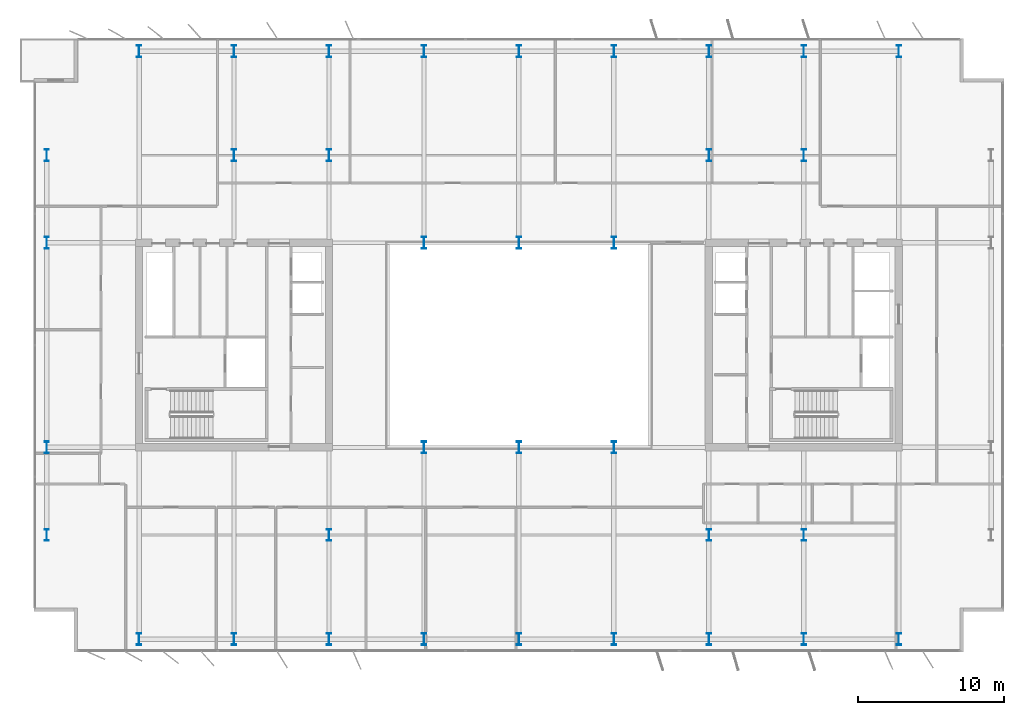
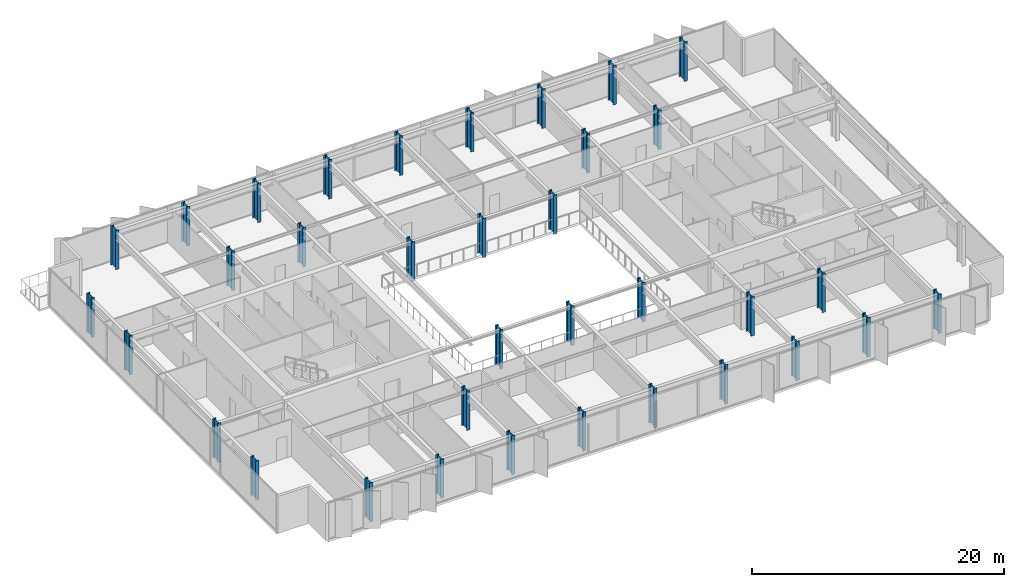
# One storey, part 1 of 23: 35 columns.
"""IFC4 building model written with IfcOpenShell, lengths in metres."""

from ifc_helpers import new_model, si_unit, direction, frame, origin, origin_2d, place, context, subcontext, project, spatial, i_section, extrude, material, material_profile, profile_set, type_object, element, save


model = new_model("IFC4")

# Units and contexts
model_context = context("Model", 3, precision=1e-05, world=origin(), true_north=direction((0.0, 1.0)))
body_context = subcontext(model_context, "Body", "Model", "MODEL_VIEW")
ifc_project = project(units=[si_unit("LENGTHUNIT", "METRE"), si_unit("AREAUNIT", "SQUARE_METRE"), si_unit("VOLUMEUNIT", "CUBIC_METRE"), si_unit("PLANEANGLEUNIT", "RADIAN"), si_unit("MASSUNIT", "GRAM", prefix="KILO")], contexts=[model_context])

# Site, building, storey
site_placement = place(None, origin())
site = spatial("IfcSite", under=ifc_project, at=site_placement, CompositionType="ELEMENT")
building_placement = place(site_placement, origin())
building = spatial("IfcBuilding", under=site, at=building_placement, Name="Putna Gate Headquarters", CompositionType="ELEMENT")
storey_placement = place(building_placement, frame((0.0, 0.0, 217.60009765625)))
storey = spatial("IfcBuildingStorey", under=building, at=storey_placement, Name="L54", CompositionType="ELEMENT", Elevation=217.60009765625)

# Columns
ifc_material = material(Name="Steel S460M", Category="steel")
ifc_material_profile_1 = material_profile(ifc_material, i_section(OverallWidth=0.302978515625, OverallDepth=0.81396484375, WebThickness=0.02099609375, FlangeThickness=0.0400390625, at=origin_2d()), Name="Steel S460M")
ifc_profile_set_1 = profile_set([ifc_material_profile_1], Name="Steel S460M")
column_type_1 = type_object("IfcColumnType", Name="COL-STL-HEM800-EXT", PredefinedType="COLUMN", material=ifc_profile_set_1)
for number, where, z_axis, x_axis, name in (
    (1, (13.0, 5.8798828125, 0.0), (0.0, 0.0, 1.0), (1.0, 0.0, 0.0), "L54 Column CP-S13"),
    (2, (13.0, 46.1201171875, 0.0), (0.0, 0.0, 1.0), (1.0, 0.0, 0.0), "L54 Column CP-N13"),
    (3, (19.5, 5.8798828125, 0.0), (0.0, 0.0, 1.0), (1.0, 0.0, 0.0), "L54 Column CP-S19"),
    (4, (19.5, 46.1201171875, 0.0), (0.0, 0.0, 1.0), (1.0, 0.0, 0.0), "L54 Column CP-N19"),
    (5, (26.0, 5.8798828125, 0.0), (0.0, 0.0, 1.0), (1.0, 0.0, 0.0), "L54 Column CP-S26"),
    (6, (26.0, 46.1201171875, 0.0), (0.0, 0.0, 1.0), (1.0, 0.0, 0.0), "L54 Column CP-N26"),
    (7, (32.5, 5.8798828125, 0.0), (0.0, 0.0, 1.0), (1.0, 0.0, 0.0), "L54 Column CP-S32"),
    (8, (32.5, 46.1201171875, 0.0), (0.0, 0.0, 1.0), (1.0, 0.0, 0.0), "L54 Column CP-N32"),
    (9, (39.0, 5.8798828125, 0.0), (0.0, 0.0, 1.0), (1.0, 0.0, 0.0), "L54 Column CP-S39"),
    (10, (39.0, 46.1201171875, 0.0), (0.0, 0.0, 1.0), (1.0, 0.0, 0.0), "L54 Column CP-N39"),
    (11, (45.5, 5.8798828125, 0.0), (0.0, 0.0, 1.0), (1.0, 0.0, 0.0), "L54 Column CP-S45"),
    (12, (45.5, 46.1201171875, 0.0), (0.0, 0.0, 1.0), (1.0, 0.0, 0.0), "L54 Column CP-N45"),
    (13, (52.0, 5.8798828125, 0.0), (0.0, 0.0, 1.0), (1.0, 0.0, 0.0), "L54 Column CP-S52"),
    (14, (52.0, 46.1201171875, 0.0), (0.0, 0.0, 1.0), (1.0, 0.0, 0.0), "L54 Column CP-N52"),
    (15, (58.5, 5.8798828125, 0.0), (0.0, 0.0, 1.0), (1.0, 0.0, 0.0), "L54 Column CP-S58"),
    (16, (58.5, 46.1201171875, 0.0), (0.0, 0.0, 1.0), (1.0, 0.0, 0.0), "L54 Column CP-N58"),
    (17, (65.0, 5.8798828125, 0.0), (0.0, 0.0, 1.0), (1.0, 0.0, 0.0), "L54 Column CP-S65"),
    (18, (65.0, 46.1201171875, 0.0), (0.0, 0.0, 1.0), (1.0, 0.0, 0.0), "L54 Column CP-N65"),
    (19, (6.679931640625, 13.0, 0.0), (0.0, 0.0, 1.0), (1.0, 0.0, 0.0), "L54 Column CP-W13"),
    (20, (6.679931640625, 19.0, 0.0), (0.0, 0.0, 1.0), (1.0, 0.0, 0.0), "L54 Column CP-W19"),
    (21, (6.679931640625, 33.0, 0.0), (0.0, 0.0, 1.0), (1.0, 0.0, 0.0), "L54 Column CP-W33"),
    (22, (6.679931640625, 39.0, 0.0), (0.0, 0.0, 1.0), (1.0, 0.0, 0.0), "L54 Column CP-W39"),
):
    element("IfcColumn", number, at=place(storey_placement, frame(where, z_axis=z_axis, x_axis=x_axis)), inside=storey, type_object=column_type_1, Name=name, PredefinedType="COLUMN", context=body_context, shape_type="SweptSolid", body=[
        extrude(i_section(OverallWidth=0.302978515625, OverallDepth=0.81396484375, WebThickness=0.02099609375, FlangeThickness=0.0400390625, at=origin_2d()), origin(), (0.0, 0.0, 1.0), 3.7998046875),
    ])
ifc_material_profile_2 = material_profile(ifc_material, i_section(OverallWidth=0.302978515625, OverallDepth=0.81396484375, WebThickness=0.02099609375, FlangeThickness=0.0400390625, at=origin_2d()), Name="Steel S460M")
ifc_profile_set_2 = profile_set([ifc_material_profile_2], Name="Steel S460M")
column_type_2 = type_object("IfcColumnType", Name="COL-STL-HEM800-INT", PredefinedType="COLUMN", material=ifc_profile_set_2)
for number, where, z_axis, x_axis, name in (
    (23, (19.5, 39.0, 0.0), (0.0, 0.0, 1.0), (1.0, 0.0, 0.0), "L54 Column CSI-WN"),
    (24, (58.5, 13.0, 0.0), (0.0, 0.0, 1.0), (1.0, 0.0, 0.0), "L54 Column CSI-ES"),
    (25, (58.5, 39.0, 0.0), (0.0, 0.0, 1.0), (1.0, 0.0, 0.0), "L54 Column CSI-EN"),
    (26, (32.5, 19.0, 0.0), (0.0, 0.0, 1.0), (1.0, 0.0, 0.0), "L54 Column CAI-S32"),
    (27, (32.5, 33.0, 0.0), (0.0, 0.0, 1.0), (1.0, 0.0, 0.0), "L54 Column CAI-N32"),
    (28, (39.0, 19.0, 0.0), (0.0, 0.0, 1.0), (1.0, 0.0, 0.0), "L54 Column CAI-S39"),
    (29, (39.0, 33.0, 0.0), (0.0, 0.0, 1.0), (1.0, 0.0, 0.0), "L54 Column CAI-N39"),
    (30, (45.5, 19.0, 0.0), (0.0, 0.0, 1.0), (1.0, 0.0, 0.0), "L54 Column CAI-S45"),
    (31, (45.5, 33.0, 0.0), (0.0, 0.0, 1.0), (1.0, 0.0, 0.0), "L54 Column CAI-N45"),
    (32, (26.0, 13.0, 0.0), (0.0, 0.0, 1.0), (1.0, 0.0, 0.0), "L54 Column CAP-WS"),
    (33, (26.0, 39.0, 0.0), (0.0, 0.0, 1.0), (1.0, 0.0, 0.0), "L54 Column CAP-WN"),
    (34, (52.0, 13.0, 0.0), (0.0, 0.0, 1.0), (1.0, 0.0, 0.0), "L54 Column CAP-ES"),
    (35, (52.0, 39.0, 0.0), (0.0, 0.0, 1.0), (1.0, 0.0, 0.0), "L54 Column CAP-EN"),
):
    element("IfcColumn", number, at=place(storey_placement, frame(where, z_axis=z_axis, x_axis=x_axis)), inside=storey, type_object=column_type_2, Name=name, PredefinedType="COLUMN", context=body_context, shape_type="SweptSolid", body=[
        extrude(i_section(OverallWidth=0.302978515625, OverallDepth=0.81396484375, WebThickness=0.02099609375, FlangeThickness=0.0400390625, at=origin_2d()), origin(), (0.0, 0.0, 1.0), 3.7998046875),
    ])

save(model, "model.ifc")
